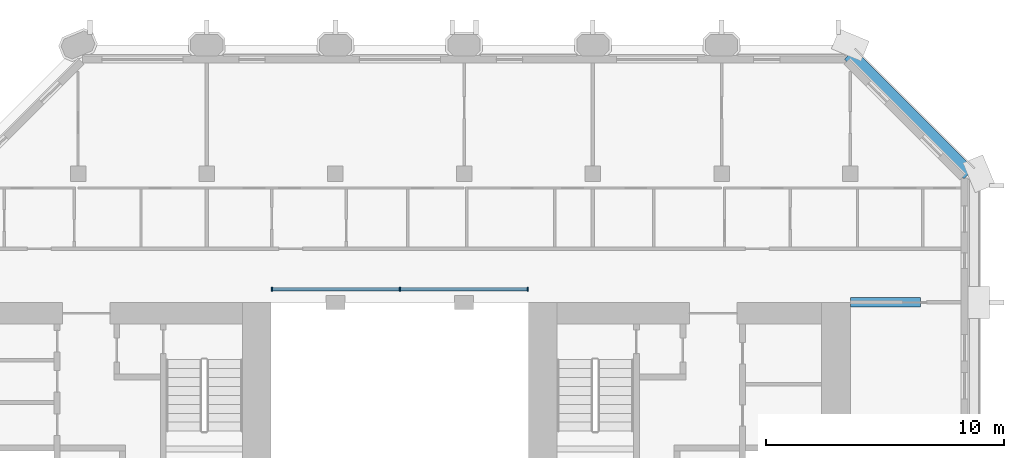
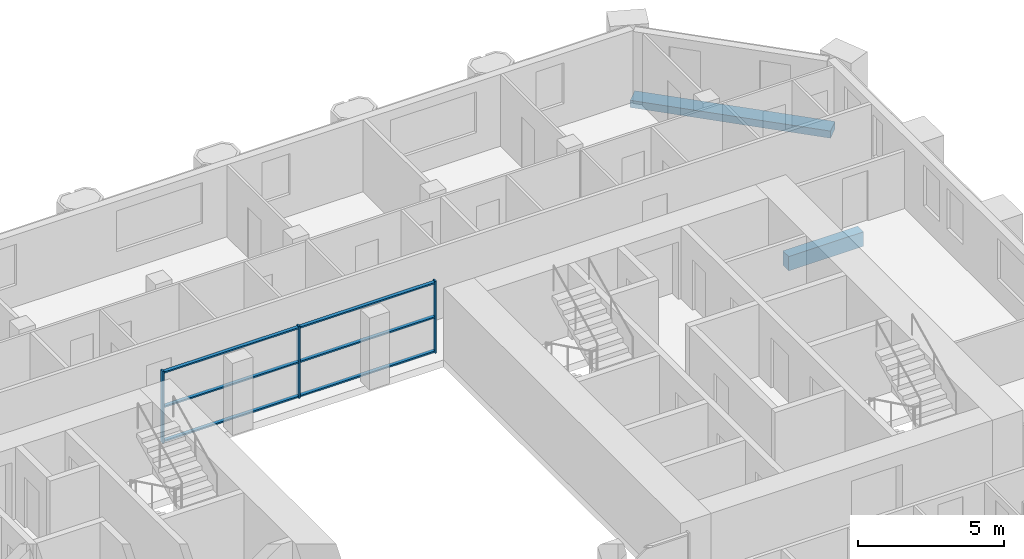
# One storey, part 4 of 14: 9 members, 2 beams, 1 element without a shape of its own.
"""IFC4 building model written with IfcOpenShell, lengths in metres."""

from ifc_helpers import new_model, si_unit, direction, frame, origin, origin_2d, place, context, subcontext, project, spatial, rectangle, extrude, material, material_profile, profile_set, type_object, element, aggregate, save


model = new_model("IFC4")

# Units and contexts
model_context = context("Model", 3, precision=1e-05, world=origin(), true_north=direction((0.0, 1.0)))
body_context = subcontext(model_context, "Body", "Model", "MODEL_VIEW")
ifc_project = project(units=[si_unit("LENGTHUNIT", "METRE"), si_unit("AREAUNIT", "SQUARE_METRE"), si_unit("VOLUMEUNIT", "CUBIC_METRE"), si_unit("PLANEANGLEUNIT", "RADIAN"), si_unit("MASSUNIT", "GRAM", prefix="KILO")], contexts=[model_context])

# Site, building, storey
site_placement = place(None, origin())
site = spatial("IfcSite", under=ifc_project, at=site_placement, CompositionType="ELEMENT")
building_placement = place(site_placement, origin())
building = spatial("IfcBuilding", under=site, at=building_placement, Name="Tabaq Tower and Sports Hall", CompositionType="ELEMENT")
storey_placement = place(building_placement, frame((0.0, 0.0, 281.800048828125)))
storey = spatial("IfcBuildingStorey", under=building, at=storey_placement, Name="L69", CompositionType="ELEMENT", Elevation=281.800048828125)

# Curtain wall, members
ifc_material_1 = material(Name="Aluminium alloy 6063-T6 framed glazing", Category="aluminium")
curtain_wall_type = type_object("IfcCurtainWallType", Name="CW1 curtain wall", PredefinedType="USERDEFINED", material=ifc_material_1)
curtain_wall_placement = place(storey_placement, origin())
curtain_wall = element("IfcCurtainWall", 1, at=curtain_wall_placement, inside=storey, type_object=curtain_wall_type, Name="Atrium glazing L69 N", ObjectType="ATRIUM ENCLOSURE", PredefinedType="USERDEFINED")
ifc_material_2 = material(Name="Aluminium alloy 6063-T6", Category="aluminium")
ifc_material_profile_1 = material_profile(ifc_material_2, rectangle(XDim=0.159912109375, YDim=0.06005859375, at=origin_2d()), Name="MULLION 160x60")
ifc_profile_set_1 = profile_set([ifc_material_profile_1], Name="Aluminium alloy 6063-T6")
member_type_1 = type_object("IfcMemberType", Name="CW1 mullion 160x60", PredefinedType="MULLION", material=ifc_profile_set_1)
member_1_placement = place(storey_placement, frame((18.929931640625, 32.949951171875, 0.0), z_axis=(0.0, 0.0, 1.0), x_axis=(0.0, 1.0, 0.0)))
member_1 = element("IfcMember", 2, at=member_1_placement, type_object=member_type_1, Name="CW1 mullion 1", PredefinedType="MULLION", context=body_context, shape_type="SweptSolid", body=[
    extrude(rectangle(XDim=0.159912109375, YDim=0.06005859375, at=origin_2d()), origin(), (0.0, 0.0, 1.0), 3.0),
])
member_2_placement = place(storey_placement, frame((24.300048828125, 32.949951171875, 0.0), z_axis=(0.0, 0.0, 1.0), x_axis=(0.0, 1.0, 0.0)))
member_2 = element("IfcMember", 3, at=member_2_placement, type_object=member_type_1, Name="CW1 mullion 2", PredefinedType="MULLION", context=body_context, shape_type="SweptSolid", body=[
    extrude(rectangle(XDim=0.159912109375, YDim=0.06005859375, at=origin_2d()), origin(), (0.0, 0.0, 1.0), 3.0),
])
member_3_placement = place(storey_placement, frame((29.669921875, 32.949951171875, 0.0), z_axis=(0.0, 0.0, 1.0), x_axis=(0.0, 1.0, 0.0)))
member_3 = element("IfcMember", 4, at=member_3_placement, type_object=member_type_1, Name="CW1 mullion 3", PredefinedType="MULLION", context=body_context, shape_type="SweptSolid", body=[
    extrude(rectangle(XDim=0.159912109375, YDim=0.06005859375, at=origin_2d()), origin(), (0.0, 0.0, 1.0), 3.0),
])
ifc_material_3 = material(Name="Aluminium alloy 6063-T6", Category="aluminium")
ifc_material_profile_2 = material_profile(ifc_material_3, rectangle(XDim=0.139892578125, YDim=0.06005859375, at=origin_2d()), Name="TRANSOM 140x60")
ifc_profile_set_2 = profile_set([ifc_material_profile_2], Name="Aluminium alloy 6063-T6")
member_type_2 = type_object("IfcMemberType", Name="CW1 transom 140x60", PredefinedType="USERDEFINED", material=ifc_profile_set_2)
member_4_placement = place(storey_placement, frame((18.9599609375, 32.949951171875, 0.070068359375), z_axis=(1.0, 0.0, 0.0), x_axis=(0.0, 1.0, 0.0)))
member_4 = element("IfcMember", 5, at=member_4_placement, type_object=member_type_2, Name="CW1 transom 1.1", ObjectType="TRANSOM", PredefinedType="USERDEFINED", context=body_context, shape_type="SweptSolid", body=[
    extrude(rectangle(XDim=0.139892578125, YDim=0.06005859375, at=origin_2d()), origin(), (0.0, 0.0, 1.0), 5.31005859375),
])
member_5_placement = place(storey_placement, frame((18.9599609375, 32.949951171875, 1.5), z_axis=(1.0, 0.0, 0.0), x_axis=(0.0, 1.0, 0.0)))
member_5 = element("IfcMember", 6, at=member_5_placement, type_object=member_type_2, Name="CW1 transom 1.2", ObjectType="TRANSOM", PredefinedType="USERDEFINED", context=body_context, shape_type="SweptSolid", body=[
    extrude(rectangle(XDim=0.139892578125, YDim=0.06005859375, at=origin_2d()), origin(), (0.0, 0.0, 1.0), 5.31005859375),
])
member_6_placement = place(storey_placement, frame((18.9599609375, 32.949951171875, 2.929931640625), z_axis=(1.0, 0.0, 0.0), x_axis=(0.0, 1.0, 0.0)))
member_6 = element("IfcMember", 7, at=member_6_placement, type_object=member_type_2, Name="CW1 transom 1.3", ObjectType="TRANSOM", PredefinedType="USERDEFINED", context=body_context, shape_type="SweptSolid", body=[
    extrude(rectangle(XDim=0.139892578125, YDim=0.06005859375, at=origin_2d()), origin(), (0.0, 0.0, 1.0), 5.31005859375),
])
member_7_placement = place(storey_placement, frame((24.330078125, 32.949951171875, 0.070068359375), z_axis=(1.0, 0.0, 0.0), x_axis=(0.0, 1.0, 0.0)))
member_7 = element("IfcMember", 8, at=member_7_placement, type_object=member_type_2, Name="CW1 transom 2.1", ObjectType="TRANSOM", PredefinedType="USERDEFINED", context=body_context, shape_type="SweptSolid", body=[
    extrude(rectangle(XDim=0.139892578125, YDim=0.06005859375, at=origin_2d()), origin(), (0.0, 0.0, 1.0), 5.309814453125),
])
member_8_placement = place(storey_placement, frame((24.330078125, 32.949951171875, 1.5), z_axis=(1.0, 0.0, 0.0), x_axis=(0.0, 1.0, 0.0)))
member_8 = element("IfcMember", 9, at=member_8_placement, type_object=member_type_2, Name="CW1 transom 2.2", ObjectType="TRANSOM", PredefinedType="USERDEFINED", context=body_context, shape_type="SweptSolid", body=[
    extrude(rectangle(XDim=0.139892578125, YDim=0.06005859375, at=origin_2d()), origin(), (0.0, 0.0, 1.0), 5.309814453125),
])
member_9_placement = place(storey_placement, frame((24.330078125, 32.949951171875, 2.929931640625), z_axis=(1.0, 0.0, 0.0), x_axis=(0.0, 1.0, 0.0)))
member_9 = element("IfcMember", 10, at=member_9_placement, type_object=member_type_2, Name="CW1 transom 2.3", ObjectType="TRANSOM", PredefinedType="USERDEFINED", context=body_context, shape_type="SweptSolid", body=[
    extrude(rectangle(XDim=0.139892578125, YDim=0.06005859375, at=origin_2d()), origin(), (0.0, 0.0, 1.0), 5.309814453125),
])
aggregate(curtain_wall, [member_1, member_2, member_3, member_4, member_5, member_6, member_7, member_8, member_9])

# Beams
ifc_material_4 = material(Name="Concrete C40/50", Category="concrete")
ifc_material_profile_3 = material_profile(ifc_material_4, rectangle(XDim=0.39990234375, YDim=0.60009765625, at=origin_2d()), Name="CB 400x600")
ifc_profile_set_3 = profile_set([ifc_material_profile_3], Name="Concrete C40/50")
beam_type_1 = type_object("IfcBeamType", Name="PT CANTILEVER BEAM CB 400x600 C40/50", PredefinedType="BEAM", material=ifc_profile_set_3)
beam_1_placement = place(storey_placement, frame((46.14990234375, 32.39990234375, -0.60009765625), z_axis=(-1.0, 0.0, 0.0), x_axis=(0.0, -1.0, 0.0)))
element("IfcBeam", 11, at=beam_1_placement, inside=storey, type_object=beam_type_1, Name="Cantilever Beam L69 E6 span 1", PredefinedType="BEAM", context=body_context, shape_type="SweptSolid", body=[
    extrude(rectangle(XDim=0.39990234375, YDim=0.60009765625, at=origin_2d()), origin(), (0.0, 0.0, 1.0), 2.949951171875),
])
ifc_material_5 = material(Name="Concrete C40/50", Category="concrete")
ifc_material_profile_4 = material_profile(ifc_material_5, rectangle(XDim=0.60009765625, YDim=0.300048828125, at=origin_2d()), Name="EB 600x300")
ifc_profile_set_4 = profile_set([ifc_material_profile_4], Name="Concrete C40/50")
beam_type_2 = type_object("IfcBeamType", Name="PT EDGE BEAM EB 600x300 C40/50", PredefinedType="SPANDREL", material=ifc_profile_set_4)
beam_2_placement = place(storey_placement, frame((48.1767578125, 37.799072265625, -0.150146484375), z_axis=(-0.707124002701, 0.707089559252, 0.0), x_axis=(-0.707089559252, -0.707124002701, 0.0)))
element("IfcBeam", 12, at=beam_2_placement, inside=storey, type_object=beam_type_2, Name="Edge Beam L69 4", PredefinedType="SPANDREL", context=body_context, shape_type="SweptSolid", body=[
    extrude(rectangle(XDim=0.60009765625, YDim=0.300048828125, at=origin_2d()), origin(), (0.0, 0.0, 1.0), 7.088134765625),
])

save(model, "model.ifc")
